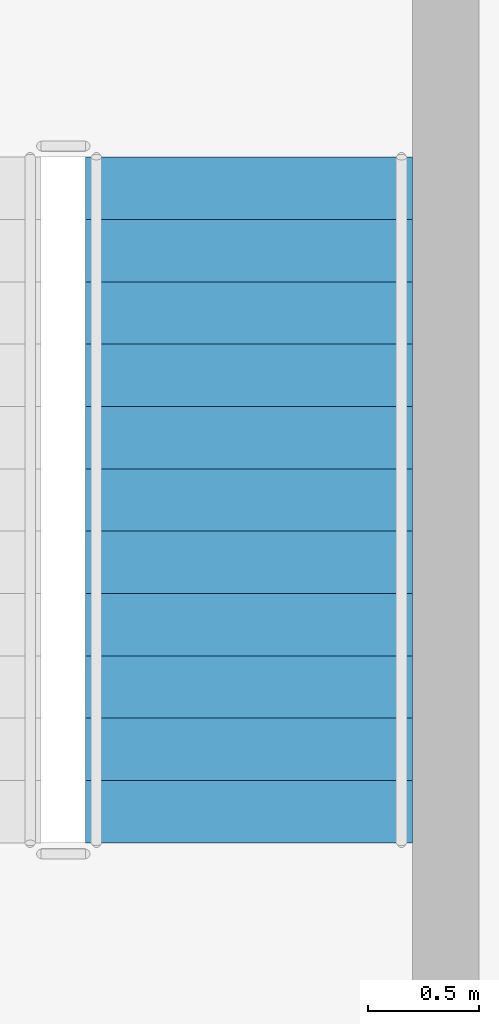
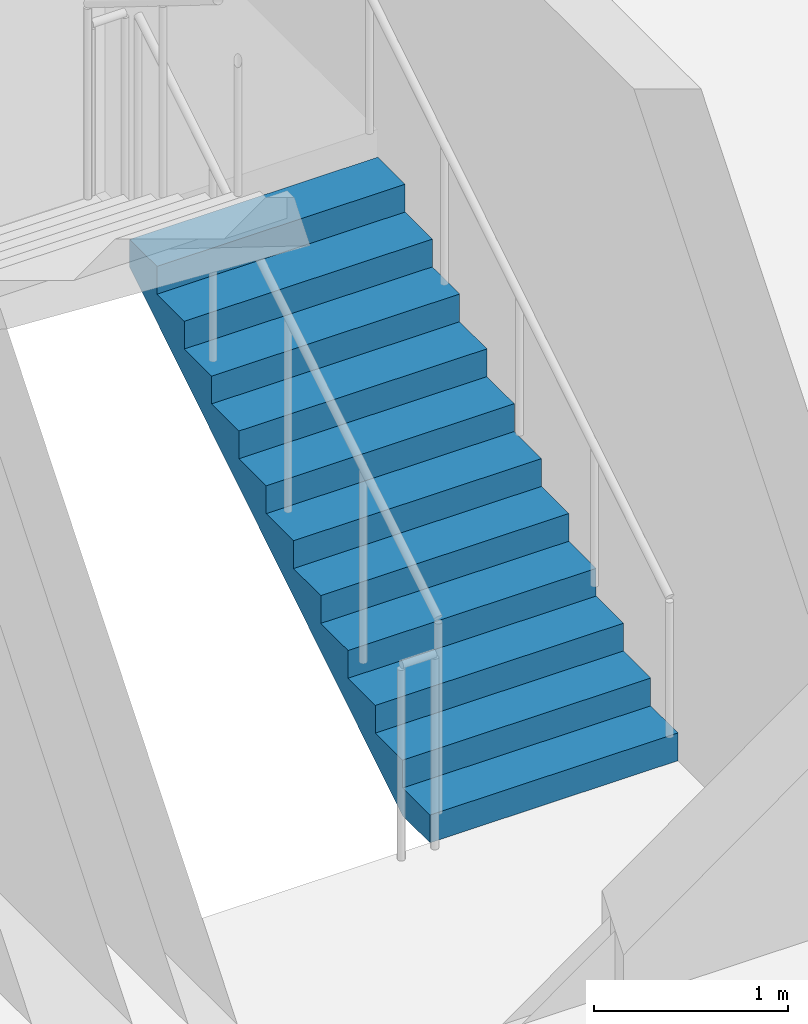
# One storey, part 9 of 10: 1 stair flight, 1 element without a shape of its own.
"""IFC4 building model written with IfcOpenShell, lengths in metres."""

from ifc_helpers import new_model, si_unit, direction, frame, origin, place, context, subcontext, project, spatial, polyline, outline, extrude, material, type_object, element, aggregate, save


model = new_model("IFC4")

# Units and contexts
model_context = context("Model", 3, precision=1e-05, world=origin(), true_north=direction((0.0, 1.0)))
body_context = subcontext(model_context, "Body", "Model", "MODEL_VIEW")
ifc_project = project(units=[si_unit("LENGTHUNIT", "METRE"), si_unit("AREAUNIT", "SQUARE_METRE"), si_unit("VOLUMEUNIT", "CUBIC_METRE"), si_unit("PLANEANGLEUNIT", "RADIAN"), si_unit("MASSUNIT", "GRAM", prefix="KILO")], contexts=[model_context])

# Site, building, storey
site_placement = place(None, origin())
site = spatial("IfcSite", under=ifc_project, at=site_placement, CompositionType="ELEMENT")
building_placement = place(site_placement, origin())
building = spatial("IfcBuilding", under=site, at=building_placement, Name="Ochreholt Gables", CompositionType="ELEMENT")
storey_placement = place(building_placement, frame((0.0, 0.0, 173.39990234375)))
storey = spatial("IfcBuildingStorey", under=building, at=storey_placement, Name="L45", CompositionType="ELEMENT", Elevation=173.39990234375)

# Stair, stair flight
ifc_material = material(Name="Concrete 40 MPa", Category="concrete")
stair_type = type_object("IfcStairType", Name="STAIR-CORE-ST-2", PredefinedType="HALF_TURN_STAIR", material=ifc_material)
stair_placement = place(storey_placement, origin())
stair = element("IfcStair", 1, at=stair_placement, inside=storey, type_object=stair_type, Name="L45 Core Exit Stair 2", PredefinedType="HALF_TURN_STAIR")
stair_flight_type = type_object("IfcStairFlightType", Name="FLIGHT-ST-1480-1750", PredefinedType="STRAIGHT", material=ifc_material)
stair_flight_placement = place(storey_placement, frame((27.340087890625, 32.4599609375, 0.0), z_axis=(0.0, 0.0, 1.0), x_axis=(0.0, 1.0, 0.0)))
stair_flight = element("IfcStairFlight", 2, at=stair_flight_placement, type_object=stair_flight_type, Name="ST-2 flight 1", NumberOfRisers=12, NumberOfTreads=11, PredefinedType="STRAIGHT", RiserHeight=0.175, TreadLength=0.282, context=body_context, shape_type="SweptSolid", body=[
    extrude(outline(polyline([(0.0, 0.0), (0.0, 0.175048828125), (0.281982421875, 0.175048828125), (0.281982421875, 0.35009765625), (0.56396484375, 0.35009765625), (0.56396484375, 0.52490234375), (0.845947265625, 0.52490234375), (0.845947265625, 0.699951171875), (1.1279296875, 0.699951171875), (1.1279296875, 0.875), (1.409912109375, 0.875), (1.409912109375, 1.050048828125), (1.69189453125, 1.050048828125), (1.69189453125, 1.22509765625), (1.97412109375, 1.22509765625), (1.97412109375, 1.39990234375), (2.256103515625, 1.39990234375), (2.256103515625, 1.574951171875), (2.5380859375, 1.574951171875), (2.5380859375, 1.75), (2.820068359375, 1.75), (2.820068359375, 1.925048828125), (3.10205078125, 1.925048828125), (3.10205078125, 2.10009765625), (3.10205078125, 1.74853515625), (0.2841796875, 0.0), (0.0, 0.0)])), frame((0.0, 0.739990234375, 0.0), z_axis=(0.0, -1.0, 0.0), x_axis=(1.0, 0.0, 0.0)), (0.0, 0.0, 1.0), 1.47998046875),
])
aggregate(stair, [stair_flight])

save(model, "model.ifc")
